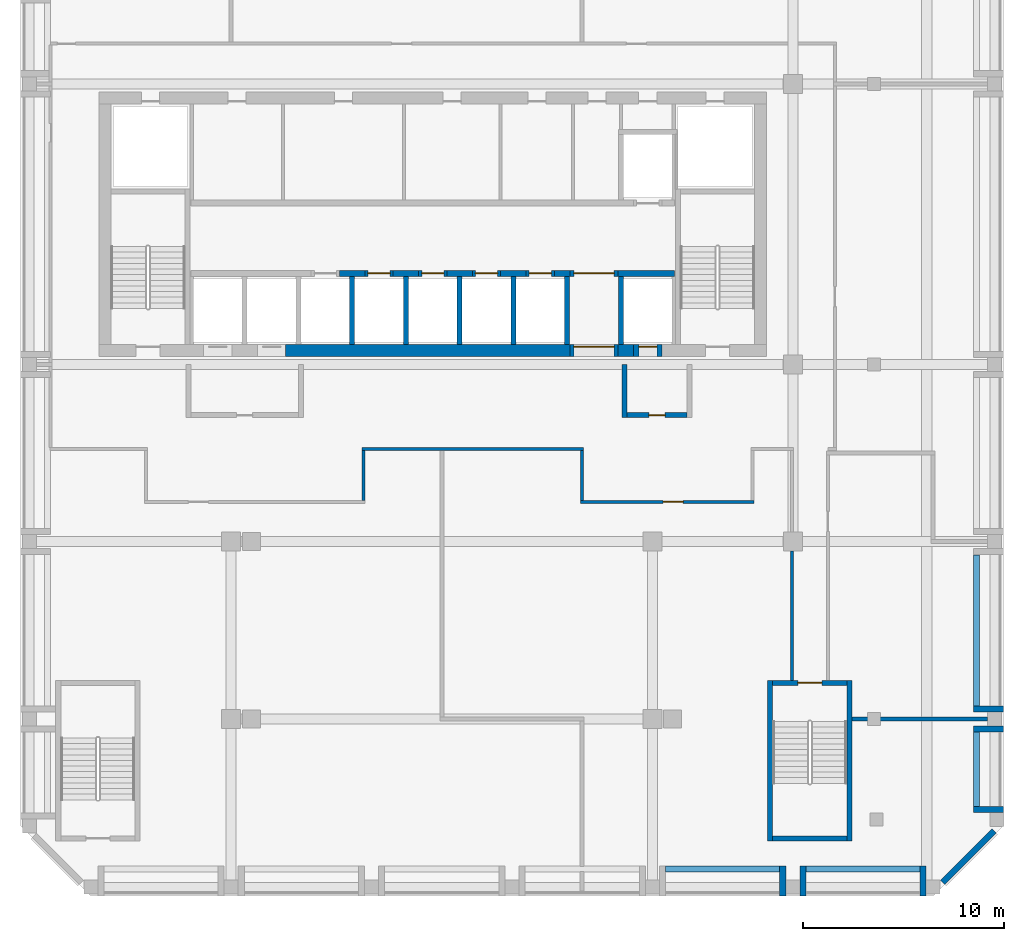
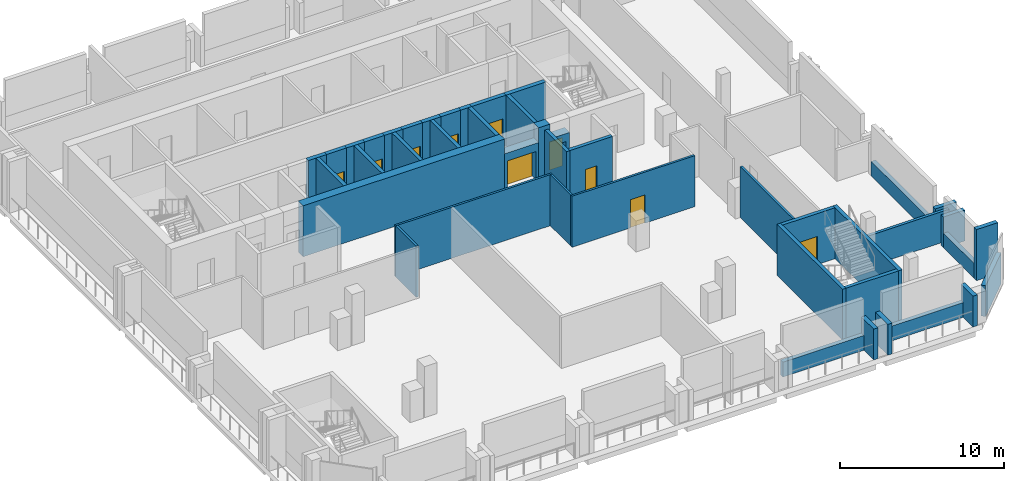
# One storey, part 3 of 7: 44 walls, 10 doors, 10 openings.
"""IFC4 building model written with IfcOpenShell, lengths in metres."""

from ifc_helpers import new_model, si_unit, direction, frame, frame_2d, origin, place, context, subcontext, project, spatial, rectangle, extrude, source, transform, mapped, material, layer, layer_set, type_object, element, fill, save


model = new_model("IFC4")

# Units and contexts
model_context = context("Model", 3, precision=1e-05, world=origin(), true_north=direction((0.0, 1.0)))
body_context = subcontext(model_context, "Body", "Model", "MODEL_VIEW")
ifc_project = project(units=[si_unit("LENGTHUNIT", "METRE"), si_unit("AREAUNIT", "SQUARE_METRE"), si_unit("VOLUMEUNIT", "CUBIC_METRE"), si_unit("PLANEANGLEUNIT", "RADIAN"), si_unit("MASSUNIT", "GRAM", prefix="KILO")], contexts=[model_context])

# Site, building, storey
site_placement = place(None, origin())
site = spatial("IfcSite", under=ifc_project, at=site_placement, CompositionType="ELEMENT")
building_placement = place(site_placement, origin())
building = spatial("IfcBuilding", under=site, at=building_placement, Name="Kilnfold Tower and Market Hall", CompositionType="ELEMENT")
storey_placement = place(building_placement, frame((0.0, 0.0, 262.800048828125)))
storey = spatial("IfcBuildingStorey", under=building, at=storey_placement, Name="L64 Plant Transfer Level", CompositionType="ELEMENT", Elevation=262.800048828125)

# Walls
ifc_material_1 = material(Name="Gypsum board on steel studs", Category="steel")
ifc_layer_1 = layer(ifc_material_1, 0.14990234375)
ifc_layer_set_1 = layer_set([ifc_layer_1], Name="Gypsum board on steel studs")
wall_type_1 = type_object("IfcWallType", Name="WALL CORRIDOR 150", PredefinedType="PARTITIONING", material=ifc_layer_set_1)
wall_1_placement = place(storey_placement, frame((-2.47509765625, 3.800048828125, 0.0), z_axis=(0.0, 0.0, 1.0), x_axis=(1.0, 0.0, 0.0)))
element("IfcWall", 1, at=wall_1_placement, inside=storey, type_object=wall_type_1, Name="Partition LY40.1", PredefinedType="PARTITIONING", context=body_context, shape_type="SweptSolid", body=[
    extrude(rectangle(XDim=11.030029296875, YDim=0.14990234375, at=frame_2d((5.51513671875, 0.0))), origin(), (0.0, 0.0, 1.0), 3.800048828125),
])
wall_2_placement = place(storey_placement, frame((-2.39990234375, 1.22509765625, 0.0), z_axis=(0.0, 0.0, 1.0), x_axis=(0.0, 1.0, 0.0)))
element("IfcWall", 2, at=wall_2_placement, inside=storey, type_object=wall_type_1, Name="Partition LY40.2", PredefinedType="PARTITIONING", context=body_context, shape_type="SweptSolid", body=[
    extrude(rectangle(XDim=2.5, YDim=0.14990234375, at=frame_2d((1.25, 0.0))), origin(), (0.0, 0.0, 1.0), 3.800048828125),
])

# Wall, opening, door
wall_3_placement = place(storey_placement, frame((8.405029296875, 1.14990234375, 0.0), z_axis=(0.0, 0.0, 1.0), x_axis=(1.0, 0.0, 0.0)))
wall_3 = element("IfcWall", 3, at=wall_3_placement, inside=storey, type_object=wall_type_1, Name="Partition LY40.8", PredefinedType="PARTITIONING", context=body_context, shape_type="SweptSolid", body=[
    extrude(rectangle(XDim=8.64990234375, YDim=0.14990234375, at=frame_2d((4.324951171875, 0.0))), origin(), (0.0, 0.0, 1.0), 3.800048828125),
])
opening_1_placement = place(wall_3_placement, frame((4.126953125, 0.0, 0.0)))
opening_1 = element("IfcOpeningElement", 4, at=opening_1_placement, cuts=wall_3, Name="Opening D4", PredefinedType="OPENING", context=body_context, shape_type="SweptSolid", body=[
    extrude(rectangle(XDim=1.0, YDim=2.10009765625, at=frame_2d((0.5, 1.050048828125))), frame((0.0, 0.0849609375, 0.0), z_axis=(0.0, -1.0, 0.0), x_axis=(1.0, 0.0, 0.0)), (0.0, 0.0, 1.0), 0.169921875),
])
ifc_material_2 = material(Name="Timber veneer door leaf in steel frame", Category="steel")
door_type_1 = type_object("IfcDoorType", Name="DOOR SERVICE 1000 X2100", OperationType="NOTDEFINED", PredefinedType="DOOR", material=ifc_material_2)
door_1_placement = place(opening_1_placement, origin())
door_1 = element("IfcDoor", 5, at=door_1_placement, inside=storey, type_object=door_type_1, Name="Door D4", OperationType="SINGLE_SWING_RIGHT", OverallHeight=2.10009765625, OverallWidth=1.0, PredefinedType="DOOR", context=body_context, shape_type="SweptSolid", body=[
    extrude(rectangle(XDim=1.0, YDim=2.10009765625, at=frame_2d((0.5, 1.050048828125))), frame((0.0, 0.02490234375, 0.0), z_axis=(0.0, -1.0, 0.0), x_axis=(1.0, 0.0, 0.0)), (0.0, 0.0, 1.0), 0.050048828125),
])
fill(opening_1, door_1)

# Walls
wall_4_placement = place(storey_placement, frame((8.47998046875, 3.72509765625, 0.0), z_axis=(0.0, 0.0, 1.0), x_axis=(0.0, -1.0, 0.0)))
element("IfcWall", 6, at=wall_4_placement, inside=storey, type_object=wall_type_1, Name="Partition LY40.9", PredefinedType="PARTITIONING", context=body_context, shape_type="SweptSolid", body=[
    extrude(rectangle(XDim=2.5, YDim=0.14990234375, at=frame_2d((1.25, 0.0))), origin(), (0.0, 0.0, 1.0), 3.800048828125),
])
wall_5_placement = place(storey_placement, frame((18.949951171875, -7.75, 0.0), z_axis=(0.0, 0.0, 1.0), x_axis=(0.0, 1.0, 0.0)))
element("IfcWall", 7, at=wall_5_placement, inside=storey, type_object=wall_type_1, Name="Partition LY40.10", PredefinedType="PARTITIONING", context=body_context, shape_type="SweptSolid", body=[
    extrude(rectangle(XDim=6.44189453125, YDim=0.14990234375, at=frame_2d((3.220947265625, 0.0))), origin(), (0.0, 0.0, 1.0), 3.800048828125),
])
ifc_material_3 = material(Name="Gypsum board on steel studs", Category="steel")
ifc_layer_2 = layer(ifc_material_3, 0.199951171875)
ifc_layer_set_2 = layer_set([ifc_layer_2], Name="Gypsum board on steel studs")
wall_type_2 = type_object("IfcWallType", Name="WALL PARTY 200", PredefinedType="PARTITIONING", material=ifc_layer_set_2)
wall_6_placement = place(storey_placement, frame((21.949951171875, -9.6669921875, 0.0), z_axis=(0.0, 0.0, 1.0), x_axis=(1.0, 0.0, 0.0)))
element("IfcWall", 8, at=wall_6_placement, inside=storey, type_object=wall_type_2, Name="Partition LY40.25", PredefinedType="PARTITIONING", context=body_context, shape_type="SweptSolid", body=[
    extrude(rectangle(XDim=6.75, YDim=0.199951171875, at=frame_2d((3.375, 0.0))), origin(), (0.0, 0.0, 1.0), 2.300048828125),
])
ifc_material_4 = material(Name="Concrete C50", Category="concrete")
ifc_layer_3 = layer(ifc_material_4, 0.25)
ifc_layer_set_3 = layer_set([ifc_layer_3], Name="Concrete C50")
wall_type_3 = type_object("IfcWallType", Name="CORE WALL 250 C50", PredefinedType="SHEAR", material=ifc_layer_set_3)
shared_shape_1 = source(origin(), body_context, "Body", "SweptSolid", [
    extrude(rectangle(XDim=3.699951171875, YDim=0.25, at=frame_2d((1.85009765625, 0.0))), origin(), (0.0, 0.0, 1.0), 3.800048828125),
])
wall_7_placement = place(storey_placement, frame((18.0, -15.625, 0.0), z_axis=(0.0, 0.0, 1.0), x_axis=(1.0, 0.0, 0.0)))
element("IfcWall", 9, at=wall_7_placement, inside=storey, type_object=wall_type_3, Name="Stair enclosure ST4", PredefinedType="SHEAR", context=body_context, shape_type="MappedRepresentation", body=[
    mapped(shared_shape_1, transform((0.0, 0.0, 0.0))),
])

# Wall, opening, door
wall_8_placement = place(storey_placement, frame((18.0, -7.875, 0.0), z_axis=(0.0, 0.0, 1.0), x_axis=(1.0, 0.0, 0.0)))
wall_8 = element("IfcWall", 10, at=wall_8_placement, inside=storey, type_object=wall_type_3, Name="Stair enclosure ST4", PredefinedType="SHEAR", context=body_context, shape_type="MappedRepresentation", body=[
    mapped(shared_shape_1, transform((0.0, 0.0, 0.0))),
])
opening_2_placement = place(wall_8_placement, frame((1.25, 0.0, 0.0)))
opening_2 = element("IfcOpeningElement", 11, at=opening_2_placement, cuts=wall_8, Name="Opening SD1", PredefinedType="OPENING", context=body_context, shape_type="SweptSolid", body=[
    extrude(rectangle(XDim=1.199951171875, YDim=2.10009765625, at=frame_2d((0.60009765625, 1.050048828125))), frame((0.0, 0.135009765625, 0.0), z_axis=(0.0, -1.0, 0.0), x_axis=(1.0, 0.0, 0.0)), (0.0, 0.0, 1.0), 0.27001953125),
])
ifc_material_5 = material(Name="Steel door set with fire-resisting leaf", Category="steel")
door_type_2 = type_object("IfcDoorType", Name="STAIR FLOOR DOOR 1200X2100", OperationType="NOTDEFINED", PredefinedType="DOOR", material=ifc_material_5)
door_2_placement = place(opening_2_placement, origin())
door_2 = element("IfcDoor", 12, at=door_2_placement, inside=storey, type_object=door_type_2, Name="Exit stair ST4 door", OperationType="DOUBLE_DOOR_SINGLE_SWING", OverallHeight=2.10009765625, OverallWidth=1.199951171875, PredefinedType="DOOR", context=body_context, shape_type="SweptSolid", body=[
    extrude(rectangle(XDim=1.199951171875, YDim=2.10009765625, at=frame_2d((0.60009765625, 1.050048828125))), frame((0.0, 0.02490234375, 0.0), z_axis=(0.0, -1.0, 0.0), x_axis=(1.0, 0.0, 0.0)), (0.0, 0.0, 1.0), 0.050048828125),
])
fill(opening_2, door_2)

# Walls
shared_shape_2 = source(origin(), body_context, "Body", "SweptSolid", [
    extrude(rectangle(XDim=8.0, YDim=0.25, at=frame_2d((4.0, 0.0))), origin(), (0.0, 0.0, 1.0), 3.800048828125),
])
for number, where, z_axis, x_axis, name in (
    (13, (17.875, -15.75, 0.0), (0.0, 0.0, 1.0), (0.0, 1.0, 0.0), "Stair enclosure ST4"),
    (14, (21.824951171875, -15.75, 0.0), (0.0, 0.0, 1.0), (0.0, 1.0, 0.0), "Stair enclosure ST4"),
):
    element("IfcWall", number, at=place(storey_placement, frame(where, z_axis=z_axis, x_axis=x_axis)), inside=storey, type_object=wall_type_3, Name=name, PredefinedType="SHEAR", context=body_context, shape_type="MappedRepresentation", body=[
        mapped(shared_shape_2, transform((0.0, 0.0, 0.0))),
    ])
ifc_material_6 = material(Name="Concrete C50", Category="concrete")
ifc_layer_4 = layer(ifc_material_6, 0.300048828125)
ifc_layer_set_4 = layer_set([ifc_layer_4], Name="Concrete C50")
wall_type_4 = type_object("IfcWallType", Name="CORE WALL 300 C50", PredefinedType="SHEAR", material=ifc_layer_set_4)
shared_shape_3 = source(origin(), body_context, "Body", "SweptSolid", [
    extrude(rectangle(XDim=1.280029296875, YDim=0.300048828125, at=frame_2d((0.64013671875, 0.0))), origin(), (0.0, 0.0, 1.0), 3.800048828125),
])
for number, where, z_axis, x_axis, name in (
    (15, (-3.610107421875, 12.550048828125, 0.0), (0.0, 0.0, 1.0), (1.0, 0.0, 0.0), "Core spine wall"),
    (16, (-0.929931640625, 12.550048828125, 0.0), (0.0, 0.0, 1.0), (1.0, 0.0, 0.0), "Core spine wall"),
    (17, (1.75, 12.550048828125, 0.0), (0.0, 0.0, 1.0), (1.0, 0.0, 0.0), "Core spine wall"),
    (18, (4.429931640625, 12.550048828125, 0.0), (0.0, 0.0, 1.0), (1.0, 0.0, 0.0), "Core spine wall"),
):
    element("IfcWall", number, at=place(storey_placement, frame(where, z_axis=z_axis, x_axis=x_axis)), inside=storey, type_object=wall_type_4, Name=name, PredefinedType="SHEAR", context=body_context, shape_type="MappedRepresentation", body=[
        mapped(shared_shape_3, transform((0.0, 0.0, 0.0))),
    ])
shared_shape_4 = source(origin(), body_context, "Body", "SweptSolid", [
    extrude(rectangle(XDim=0.77978515625, YDim=0.300048828125, at=frame_2d((0.389892578125, 0.0))), origin(), (0.0, 0.0, 1.0), 3.800048828125),
])
wall_9_placement = place(storey_placement, frame((7.110107421875, 12.550048828125, 0.0), z_axis=(0.0, 0.0, 1.0), x_axis=(1.0, 0.0, 0.0)))
element("IfcWall", 19, at=wall_9_placement, inside=storey, type_object=wall_type_4, Name="Core spine wall", PredefinedType="SHEAR", context=body_context, shape_type="MappedRepresentation", body=[
    mapped(shared_shape_4, transform((0.0, 0.0, 0.0))),
])
shared_shape_5 = source(origin(), body_context, "Body", "SweptSolid", [
    extrude(rectangle(XDim=2.820068359375, YDim=0.300048828125, at=frame_2d((1.41015625, 0.0))), origin(), (0.0, 0.0, 1.0), 3.800048828125),
])
wall_10_placement = place(storey_placement, frame((10.2900390625, 12.550048828125, 0.0), z_axis=(0.0, 0.0, 1.0), x_axis=(1.0, 0.0, 0.0)))
element("IfcWall", 20, at=wall_10_placement, inside=storey, type_object=wall_type_4, Name="Core spine wall", PredefinedType="SHEAR", context=body_context, shape_type="MappedRepresentation", body=[
    mapped(shared_shape_5, transform((0.0, 0.0, 0.0))),
])
ifc_material_7 = material(Name="Concrete C50", Category="concrete")
ifc_layer_5 = layer(ifc_material_7, 0.60009765625)
ifc_layer_set_5 = layer_set([ifc_layer_5], Name="Concrete C50")
wall_type_5 = type_object("IfcWallType", Name="CORE WALL 600 C50", PredefinedType="SHEAR", material=ifc_layer_set_5)
shared_shape_6 = source(origin(), body_context, "Body", "SweptSolid", [
    extrude(rectangle(XDim=14.179931640625, YDim=0.60009765625, at=frame_2d((7.08984375, 0.0))), origin(), (0.0, 0.0, 1.0), 3.800048828125),
])
wall_11_placement = place(storey_placement, frame((-6.2900390625, 8.699951171875, 0.0), z_axis=(0.0, 0.0, 1.0), x_axis=(1.0, 0.0, 0.0)))
element("IfcWall", 21, at=wall_11_placement, inside=storey, type_object=wall_type_5, Name="Core outer wall south", PredefinedType="SHEAR", context=body_context, shape_type="MappedRepresentation", body=[
    mapped(shared_shape_6, transform((0.0, 0.0, 0.0))),
])
shared_shape_7 = source(origin(), body_context, "Body", "SweptSolid", [
    extrude(rectangle(XDim=0.780029296875, YDim=0.60009765625, at=frame_2d((0.39013671875, 0.0))), origin(), (0.0, 0.0, 1.0), 3.800048828125),
])
wall_12_placement = place(storey_placement, frame((10.2900390625, 8.699951171875, 0.0), z_axis=(0.0, 0.0, 1.0), x_axis=(1.0, 0.0, 0.0)))
element("IfcWall", 22, at=wall_12_placement, inside=storey, type_object=wall_type_5, Name="Core outer wall south", PredefinedType="SHEAR", context=body_context, shape_type="MappedRepresentation", body=[
    mapped(shared_shape_7, transform((0.0, 0.0, 0.0))),
])
ifc_material_8 = material(Name="Precast concrete C50/60", Category="concrete")
ifc_layer_6 = layer(ifc_material_8, 0.300048828125)
ifc_layer_set_6 = layer_set([ifc_layer_6], Name="Precast concrete C50/60")
wall_type_6 = type_object("IfcWallType", Name="PRECAST WALL 300", PredefinedType="SOLIDWALL", material=ifc_layer_set_6)
shared_shape_8 = source(origin(), body_context, "Body", "SweptSolid", [
    extrude(rectangle(XDim=1.5, YDim=0.300048828125, at=frame_2d((0.75, 0.0))), origin(), (0.0, 0.0, 1.0), 2.300048828125),
])
for number, where, z_axis, x_axis, name in (
    (23, (18.5, -18.5, 0.0), (0.0, 0.0, 1.0), (0.0, 1.0, 0.0), "Plant wall L64 S"),
    (24, (19.5, -18.5, 0.0), (0.0, 0.0, 1.0), (0.0, 1.0, 0.0), "Plant wall L64 S"),
    (25, (25.5, -18.5, 0.0), (0.0, 0.0, 1.0), (0.0, 1.0, 0.0), "Plant wall L64 S"),
    (26, (29.5, -10.166748046875, 0.0), (0.0, 0.0, 1.0), (-1.0, 0.0, 0.0), "Plant wall L64 E"),
    (27, (29.5, -9.166748046875, 0.0), (0.0, 0.0, 1.0), (-1.0, 0.0, 0.0), "Plant wall L64 E"),
):
    element("IfcWall", number, at=place(storey_placement, frame(where, z_axis=z_axis, x_axis=x_axis)), inside=storey, type_object=wall_type_6, Name=name, PredefinedType="SOLIDWALL", context=body_context, shape_type="MappedRepresentation", body=[
        mapped(shared_shape_8, transform((0.0, 0.0, 0.0))),
    ])
shared_shape_9 = source(origin(), body_context, "Body", "SweptSolid", [
    extrude(rectangle(XDim=1.5, YDim=0.300048828125, at=frame_2d((0.75, 0.0))), origin(), (0.0, 0.0, 1.0), 3.800048828125),
])
wall_13_placement = place(storey_placement, frame((29.5, -14.181884765625, 0.0), z_axis=(0.0, 0.0, 1.0), x_axis=(-1.0, 0.0, 0.0)))
element("IfcWall", 28, at=wall_13_placement, inside=storey, type_object=wall_type_6, Name="Plant wall L64 E", PredefinedType="SOLIDWALL", context=body_context, shape_type="MappedRepresentation", body=[
    mapped(shared_shape_9, transform((0.0, 0.0, 0.0))),
])
shared_shape_10 = source(origin(), body_context, "Body", "SweptSolid", [
    extrude(rectangle(XDim=5.7001953125, YDim=0.300048828125, at=frame_2d((2.85009765625, 0.0))), origin(), (0.0, 0.0, 1.0), 1.099853515625),
])
for number, where, z_axis, x_axis, name in (
    (29, (12.64990234375, -17.14990234375, 0.0), (0.0, 0.0, 1.0), (1.0, 0.0, 0.0), "Knee wall L64 S"),
    (30, (19.64990234375, -17.14990234375, 0.0), (0.0, 0.0, 1.0), (1.0, 0.0, 0.0), "Knee wall L64 S"),
):
    element("IfcWall", number, at=place(storey_placement, frame(where, z_axis=z_axis, x_axis=x_axis)), inside=storey, type_object=wall_type_6, Name=name, PredefinedType="SOLIDWALL", context=body_context, shape_type="MappedRepresentation", body=[
        mapped(shared_shape_10, transform((0.0, 0.0, 0.0))),
    ])
shared_shape_11 = source(origin(), body_context, "Body", "SweptSolid", [
    extrude(rectangle(XDim=3.6416015625, YDim=0.300048828125, at=frame_2d((1.82080078125, 0.0))), origin(), (0.0, 0.0, 1.0), 2.300048828125),
])
wall_14_placement = place(storey_placement, frame((26.468994140625, -17.81884765625, 0.0), z_axis=(0.0, 0.0, 1.0), x_axis=(0.707106781187, 0.707106781187, 0.0)))
element("IfcWall", 31, at=wall_14_placement, inside=storey, type_object=wall_type_6, Name="Plant wall L64 SE", PredefinedType="SOLIDWALL", context=body_context, shape_type="MappedRepresentation", body=[
    mapped(shared_shape_11, transform((0.0, 0.0, 0.0))),
])
shared_shape_12 = source(origin(), body_context, "Body", "SweptSolid", [
    extrude(rectangle(XDim=3.715087890625, YDim=0.300048828125, at=frame_2d((1.857421875, 0.0))), origin(), (0.0, 0.0, 1.0), 1.099853515625),
])
wall_15_placement = place(storey_placement, frame((28.14990234375, -14.03173828125, 0.0), z_axis=(0.0, 0.0, 1.0), x_axis=(0.0, 1.0, 0.0)))
element("IfcWall", 32, at=wall_15_placement, inside=storey, type_object=wall_type_6, Name="Knee wall L64 E", PredefinedType="SOLIDWALL", context=body_context, shape_type="MappedRepresentation", body=[
    mapped(shared_shape_12, transform((0.0, 0.0, 0.0))),
])
shared_shape_13 = source(origin(), body_context, "Body", "SweptSolid", [
    extrude(rectangle(XDim=7.533203125, YDim=0.300048828125, at=frame_2d((3.7666015625, 0.0))), origin(), (0.0, 0.0, 1.0), 1.099853515625),
])
wall_16_placement = place(storey_placement, frame((28.14990234375, -9.0166015625, 0.0), z_axis=(0.0, 0.0, 1.0), x_axis=(0.0, 1.0, 0.0)))
element("IfcWall", 33, at=wall_16_placement, inside=storey, type_object=wall_type_6, Name="Knee wall L64 E", PredefinedType="SOLIDWALL", context=body_context, shape_type="MappedRepresentation", body=[
    mapped(shared_shape_13, transform((0.0, 0.0, 0.0))),
])

# Wall, opening, door
ifc_material_9 = material(Name="Gypsum shaft wall system")
ifc_layer_7 = layer(ifc_material_9, 0.300048828125)
ifc_layer_set_7 = layer_set([ifc_layer_7], Name="Gypsum shaft wall system")
wall_type_7 = type_object("IfcWallType", Name="SHAFT WALL 300", PredefinedType="PARTITIONING", material=ifc_layer_set_7)
shared_shape_14 = source(origin(), body_context, "Body", "SweptSolid", [
    extrude(rectangle(XDim=1.39990234375, YDim=0.300048828125, at=frame_2d((0.699951171875, 0.0))), origin(), (0.0, 0.0, 1.0), 3.800048828125),
])
wall_17_placement = place(storey_placement, frame((0.35009765625, 12.550048828125, 0.0), z_axis=(0.0, 0.0, 1.0), x_axis=(1.0, 0.0, 0.0)))
wall_17 = element("IfcWall", 34, at=wall_17_placement, inside=storey, type_object=wall_type_7, Name="Lift shaft front wall", PredefinedType="PARTITIONING", context=body_context, shape_type="MappedRepresentation", body=[
    mapped(shared_shape_14, transform((0.0, 0.0, 0.0))),
])
opening_3_placement = place(wall_17_placement, frame((0.14990234375, 0.0, 0.0)))
opening_3 = element("IfcOpeningElement", 35, at=opening_3_placement, cuts=wall_17, Name="Opening LD2", PredefinedType="OPENING", context=body_context, shape_type="SweptSolid", body=[
    extrude(rectangle(XDim=1.10009765625, YDim=2.10009765625, at=frame_2d((0.550048828125, 1.050048828125))), frame((0.0, 0.16015625, 0.0), z_axis=(0.0, -1.0, 0.0), x_axis=(1.0, 0.0, 0.0)), (0.0, 0.0, 1.0), 0.320068359375),
])
ifc_material_10 = material(Name="Steel door set with fire-resisting leaf", Category="steel")
door_type_3 = type_object("IfcDoorType", Name="LANDING DOOR 1100X2100", OperationType="NOTDEFINED", PredefinedType="DOOR", material=ifc_material_10)
door_3_placement = place(opening_3_placement, origin())
door_3 = element("IfcDoor", 36, at=door_3_placement, inside=storey, type_object=door_type_3, Name="Landing door HR3", OperationType="DOUBLE_DOOR_SLIDING", OverallHeight=2.10009765625, OverallWidth=1.10009765625, PredefinedType="DOOR", context=body_context, shape_type="SweptSolid", body=[
    extrude(rectangle(XDim=1.10009765625, YDim=2.10009765625, at=frame_2d((0.550048828125, 1.050048828125))), frame((0.0, 0.02490234375, 0.0), z_axis=(0.0, -1.0, 0.0), x_axis=(1.0, 0.0, 0.0)), (0.0, 0.0, 1.0), 0.050048828125),
])
fill(opening_3, door_3)

wall_18_placement = place(storey_placement, frame((3.030029296875, 12.550048828125, 0.0), z_axis=(0.0, 0.0, 1.0), x_axis=(1.0, 0.0, 0.0)))
wall_18 = element("IfcWall", 37, at=wall_18_placement, inside=storey, type_object=wall_type_7, Name="Lift shaft front wall", PredefinedType="PARTITIONING", context=body_context, shape_type="MappedRepresentation", body=[
    mapped(shared_shape_14, transform((0.0, 0.0, 0.0))),
])
opening_4_placement = place(wall_18_placement, frame((0.14990234375, 0.0, 0.0)))
opening_4 = element("IfcOpeningElement", 38, at=opening_4_placement, cuts=wall_18, Name="Opening LD2", PredefinedType="OPENING", context=body_context, shape_type="SweptSolid", body=[
    extrude(rectangle(XDim=1.10009765625, YDim=2.10009765625, at=frame_2d((0.550048828125, 1.050048828125))), frame((0.0, 0.16015625, 0.0), z_axis=(0.0, -1.0, 0.0), x_axis=(1.0, 0.0, 0.0)), (0.0, 0.0, 1.0), 0.320068359375),
])
door_4_placement = place(opening_4_placement, origin())
door_4 = element("IfcDoor", 39, at=door_4_placement, inside=storey, type_object=door_type_3, Name="Landing door HR4", OperationType="DOUBLE_DOOR_SLIDING", OverallHeight=2.10009765625, OverallWidth=1.10009765625, PredefinedType="DOOR", context=body_context, shape_type="SweptSolid", body=[
    extrude(rectangle(XDim=1.10009765625, YDim=2.10009765625, at=frame_2d((0.550048828125, 1.050048828125))), frame((0.0, 0.02490234375, 0.0), z_axis=(0.0, -1.0, 0.0), x_axis=(1.0, 0.0, 0.0)), (0.0, 0.0, 1.0), 0.050048828125),
])
fill(opening_4, door_4)

shared_shape_15 = source(origin(), body_context, "Body", "SweptSolid", [
    extrude(rectangle(XDim=1.400146484375, YDim=0.300048828125, at=frame_2d((0.7001953125, 0.0))), origin(), (0.0, 0.0, 1.0), 3.800048828125),
])
wall_19_placement = place(storey_placement, frame((-2.330078125, 12.550048828125, 0.0), z_axis=(0.0, 0.0, 1.0), x_axis=(1.0, 0.0, 0.0)))
wall_19 = element("IfcWall", 40, at=wall_19_placement, inside=storey, type_object=wall_type_7, Name="Lift shaft front wall", PredefinedType="PARTITIONING", context=body_context, shape_type="MappedRepresentation", body=[
    mapped(shared_shape_15, transform((0.0, 0.0, 0.0))),
])
opening_5_placement = place(wall_19_placement, frame((0.14990234375, 0.0, 0.0)))
opening_5 = element("IfcOpeningElement", 41, at=opening_5_placement, cuts=wall_19, Name="Opening LD2", PredefinedType="OPENING", context=body_context, shape_type="SweptSolid", body=[
    extrude(rectangle(XDim=1.10009765625, YDim=2.10009765625, at=frame_2d((0.550048828125, 1.050048828125))), frame((0.0, 0.16015625, 0.0), z_axis=(0.0, -1.0, 0.0), x_axis=(1.0, 0.0, 0.0)), (0.0, 0.0, 1.0), 0.320068359375),
])
door_5_placement = place(opening_5_placement, origin())
door_5 = element("IfcDoor", 42, at=door_5_placement, inside=storey, type_object=door_type_3, Name="Landing door HR2", OperationType="DOUBLE_DOOR_SLIDING", OverallHeight=2.10009765625, OverallWidth=1.10009765625, PredefinedType="DOOR", context=body_context, shape_type="SweptSolid", body=[
    extrude(rectangle(XDim=1.10009765625, YDim=2.10009765625, at=frame_2d((0.550048828125, 1.050048828125))), frame((0.0, 0.02490234375, 0.0), z_axis=(0.0, -1.0, 0.0), x_axis=(1.0, 0.0, 0.0)), (0.0, 0.0, 1.0), 0.050048828125),
])
fill(opening_5, door_5)

wall_20_placement = place(storey_placement, frame((5.7099609375, 12.550048828125, 0.0), z_axis=(0.0, 0.0, 1.0), x_axis=(1.0, 0.0, 0.0)))
wall_20 = element("IfcWall", 43, at=wall_20_placement, inside=storey, type_object=wall_type_7, Name="Lift shaft front wall", PredefinedType="PARTITIONING", context=body_context, shape_type="MappedRepresentation", body=[
    mapped(shared_shape_15, transform((0.0, 0.0, 0.0))),
])
opening_6_placement = place(wall_20_placement, frame((0.14990234375, 0.0, 0.0)))
opening_6 = element("IfcOpeningElement", 44, at=opening_6_placement, cuts=wall_20, Name="Opening LD2", PredefinedType="OPENING", context=body_context, shape_type="SweptSolid", body=[
    extrude(rectangle(XDim=1.10009765625, YDim=2.10009765625, at=frame_2d((0.550048828125, 1.050048828125))), frame((0.0, 0.16015625, 0.0), z_axis=(0.0, -1.0, 0.0), x_axis=(1.0, 0.0, 0.0)), (0.0, 0.0, 1.0), 0.320068359375),
])
door_6_placement = place(opening_6_placement, origin())
door_6 = element("IfcDoor", 45, at=door_6_placement, inside=storey, type_object=door_type_3, Name="Landing door HR5", OperationType="DOUBLE_DOOR_SLIDING", OverallHeight=2.10009765625, OverallWidth=1.10009765625, PredefinedType="DOOR", context=body_context, shape_type="SweptSolid", body=[
    extrude(rectangle(XDim=1.10009765625, YDim=2.10009765625, at=frame_2d((0.550048828125, 1.050048828125))), frame((0.0, 0.02490234375, 0.0), z_axis=(0.0, -1.0, 0.0), x_axis=(1.0, 0.0, 0.0)), (0.0, 0.0, 1.0), 0.050048828125),
])
fill(opening_6, door_6)

shared_shape_16 = source(origin(), body_context, "Body", "SweptSolid", [
    extrude(rectangle(XDim=2.400146484375, YDim=0.300048828125, at=frame_2d((1.2001953125, 0.0))), origin(), (0.0, 0.0, 1.0), 3.800048828125),
])
wall_21_placement = place(storey_placement, frame((7.889892578125, 12.550048828125, 0.0), z_axis=(0.0, 0.0, 1.0), x_axis=(1.0, 0.0, 0.0)))
wall_21 = element("IfcWall", 46, at=wall_21_placement, inside=storey, type_object=wall_type_7, Name="Lift shaft front wall", PredefinedType="PARTITIONING", context=body_context, shape_type="MappedRepresentation", body=[
    mapped(shared_shape_16, transform((0.0, 0.0, 0.0))),
])
opening_7_placement = place(wall_21_placement, frame((0.199951171875, 0.0, 0.0)))
opening_7 = element("IfcOpeningElement", 47, at=opening_7_placement, cuts=wall_21, Name="Opening VD2", PredefinedType="OPENING", context=body_context, shape_type="SweptSolid", body=[
    extrude(rectangle(XDim=2.0, YDim=2.10009765625, at=frame_2d((1.0, 1.050048828125))), frame((0.0, 0.16015625, 0.0), z_axis=(0.0, -1.0, 0.0), x_axis=(1.0, 0.0, 0.0)), (0.0, 0.0, 1.0), 0.320068359375),
])
ifc_material_11 = material(Name="Steel door set with fire-resisting leaf", Category="steel")
door_type_4 = type_object("IfcDoorType", Name="LIFT LOBBY ENTRANCE DOOR 2000X2100", OperationType="NOTDEFINED", PredefinedType="DOOR", material=ifc_material_11)
door_7_placement = place(opening_7_placement, origin())
door_7 = element("IfcDoor", 48, at=door_7_placement, inside=storey, type_object=door_type_4, Name="Lift lobby entrance door", OperationType="DOUBLE_DOOR_SINGLE_SWING", OverallHeight=2.10009765625, OverallWidth=2.0, PredefinedType="DOOR", context=body_context, shape_type="SweptSolid", body=[
    extrude(rectangle(XDim=2.0, YDim=2.10009765625, at=frame_2d((1.0, 1.050048828125))), frame((0.0, 0.02490234375, 0.0), z_axis=(0.0, -1.0, 0.0), x_axis=(1.0, 0.0, 0.0)), (0.0, 0.0, 1.0), 0.050048828125),
])
fill(opening_7, door_7)

# Wall
ifc_material_12 = material(Name="Gypsum shaft wall system")
ifc_layer_8 = layer(ifc_material_12, 0.25)
ifc_layer_set_8 = layer_set([ifc_layer_8], Name="Gypsum shaft wall system")
wall_type_8 = type_object("IfcWallType", Name="LOBBY WALL 250", PredefinedType="PARTITIONING", material=ifc_layer_set_8)
shared_shape_17 = source(origin(), body_context, "Body", "SweptSolid", [
    extrude(rectangle(XDim=2.64990234375, YDim=0.25, at=frame_2d((1.324951171875, 0.0))), origin(), (0.0, 0.0, 1.0), 3.800048828125),
])
wall_22_placement = place(storey_placement, frame((10.60498046875, 5.35009765625, 0.0), z_axis=(0.0, 0.0, 1.0), x_axis=(0.0, 1.0, 0.0)))
element("IfcWall", 49, at=wall_22_placement, inside=storey, type_object=wall_type_8, Name="Firefighting lobby wall", PredefinedType="PARTITIONING", context=body_context, shape_type="MappedRepresentation", body=[
    mapped(shared_shape_17, transform((0.0, 0.0, 0.0))),
])

# Wall, opening, door
shared_shape_18 = source(origin(), body_context, "Body", "SweptSolid", [
    extrude(rectangle(XDim=3.0, YDim=0.25, at=frame_2d((1.5, 0.0))), origin(), (0.0, 0.0, 1.0), 3.800048828125),
])
wall_23_placement = place(storey_placement, frame((10.72998046875, 5.47509765625, 0.0), z_axis=(0.0, 0.0, 1.0), x_axis=(1.0, 0.0, 0.0)))
wall_23 = element("IfcWall", 50, at=wall_23_placement, inside=storey, type_object=wall_type_8, Name="Firefighting lobby wall", PredefinedType="PARTITIONING", context=body_context, shape_type="MappedRepresentation", body=[
    mapped(shared_shape_18, transform((0.0, 0.0, 0.0))),
])
opening_8_placement = place(wall_23_placement, frame((1.10009765625, 0.0, 0.0)))
opening_8 = element("IfcOpeningElement", 51, at=opening_8_placement, cuts=wall_23, Name="Opening VD1", PredefinedType="OPENING", context=body_context, shape_type="SweptSolid", body=[
    extrude(rectangle(XDim=0.800048828125, YDim=2.0, at=frame_2d((0.39990234375, 1.0))), frame((0.0, 0.135009765625, 0.0), z_axis=(0.0, -1.0, 0.0), x_axis=(1.0, 0.0, 0.0)), (0.0, 0.0, 1.0), 0.27001953125),
])
ifc_material_13 = material(Name="Steel door set with fire-resisting leaf", Category="steel")
door_type_5 = type_object("IfcDoorType", Name="FIREFIGHTING LOBBY DOOR 800X2000", OperationType="NOTDEFINED", PredefinedType="DOOR", material=ifc_material_13)
door_8_placement = place(opening_8_placement, origin())
door_8 = element("IfcDoor", 52, at=door_8_placement, inside=storey, type_object=door_type_5, Name="Firefighting lobby door", OperationType="SINGLE_SWING_RIGHT", OverallHeight=2.0, OverallWidth=0.800048828125, PredefinedType="DOOR", context=body_context, shape_type="SweptSolid", body=[
    extrude(rectangle(XDim=0.800048828125, YDim=2.0, at=frame_2d((0.39990234375, 1.0))), frame((0.0, 0.02490234375, 0.0), z_axis=(0.0, -1.0, 0.0), x_axis=(1.0, 0.0, 0.0)), (0.0, 0.0, 1.0), 0.050048828125),
])
fill(opening_8, door_8)

# Walls
ifc_material_14 = material(Name="Gypsum shaft wall system")
ifc_layer_9 = layer(ifc_material_14, 0.25)
ifc_layer_set_9 = layer_set([ifc_layer_9], Name="Gypsum shaft wall system")
wall_type_9 = type_object("IfcWallType", Name="SHAFT WALL 250", PredefinedType="PARTITIONING", material=ifc_layer_set_9)
shared_shape_19 = source(origin(), body_context, "Body", "SweptSolid", [
    extrude(rectangle(XDim=3.39990234375, YDim=0.25, at=frame_2d((1.699951171875, 0.0))), origin(), (0.0, 0.0, 1.0), 3.800048828125),
])
for number, where, z_axis, x_axis, name in (
    (53, (10.429931640625, 9.0, 0.0), (0.0, 0.0, 1.0), (0.0, 1.0, 0.0), "Lift shaft wall"),
    (54, (2.389892578125, 9.0, 0.0), (0.0, 0.0, 1.0), (0.0, 1.0, 0.0), "Lift shaft wall"),
    (55, (5.070068359375, 9.0, 0.0), (0.0, 0.0, 1.0), (0.0, 1.0, 0.0), "Lift shaft wall"),
    (56, (7.75, 9.0, 0.0), (0.0, 0.0, 1.0), (0.0, 1.0, 0.0), "Lift shaft wall"),
    (57, (-0.2900390625, 9.0, 0.0), (0.0, 0.0, 1.0), (0.0, 1.0, 0.0), "Lift shaft wall"),
    (58, (-2.969970703125, 9.0, 0.0), (0.0, 0.0, 1.0), (0.0, 1.0, 0.0), "Lift shaft wall"),
):
    element("IfcWall", number, at=place(storey_placement, frame(where, z_axis=z_axis, x_axis=x_axis)), inside=storey, type_object=wall_type_9, Name=name, PredefinedType="PARTITIONING", context=body_context, shape_type="MappedRepresentation", body=[
        mapped(shared_shape_19, transform((0.0, 0.0, 0.0))),
    ])

# Wall, opening, door
ifc_material_15 = material(Name="Gypsum shaft wall system")
ifc_layer_10 = layer(ifc_material_15, 0.60009765625)
ifc_layer_set_10 = layer_set([ifc_layer_10], Name="Gypsum shaft wall system")
wall_type_10 = type_object("IfcWallType", Name="LOBBY WALL 600", PredefinedType="PARTITIONING", material=ifc_layer_set_10)
shared_shape_20 = source(origin(), body_context, "Body", "SweptSolid", [
    extrude(rectangle(XDim=1.39990234375, YDim=0.60009765625, at=frame_2d((0.699951171875, 0.0))), origin(), (0.0, 0.0, 1.0), 2.699951171875),
])
wall_24_placement = place(storey_placement, frame((11.070068359375, 8.699951171875, 0.0), z_axis=(0.0, 0.0, 1.0), x_axis=(1.0, 0.0, 0.0)))
wall_24 = element("IfcWall", 59, at=wall_24_placement, inside=storey, type_object=wall_type_10, Name="Core wall infill", PredefinedType="PARTITIONING", context=body_context, shape_type="MappedRepresentation", body=[
    mapped(shared_shape_20, transform((0.0, 0.0, 0.0))),
])
opening_9_placement = place(wall_24_placement, frame((0.25, 0.0, 0.0)))
opening_9 = element("IfcOpeningElement", 60, at=opening_9_placement, cuts=wall_24, Name="Opening LD1", PredefinedType="OPENING", context=body_context, shape_type="SweptSolid", body=[
    extrude(rectangle(XDim=0.89990234375, YDim=2.10009765625, at=frame_2d((0.449951171875, 1.050048828125))), frame((0.0, 0.31005859375, 0.0), z_axis=(0.0, -1.0, 0.0), x_axis=(1.0, 0.0, 0.0)), (0.0, 0.0, 1.0), 0.6201171875),
])
ifc_material_16 = material(Name="Steel door set with fire-resisting leaf", Category="steel")
door_type_6 = type_object("IfcDoorType", Name="FIREFIGHTING LANDING DOOR 900X2100", OperationType="NOTDEFINED", PredefinedType="DOOR", material=ifc_material_16)
door_9_placement = place(opening_9_placement, origin())
door_9 = element("IfcDoor", 61, at=door_9_placement, inside=storey, type_object=door_type_6, Name="Landing door FF3", OperationType="SLIDING_TO_LEFT", OverallHeight=2.10009765625, OverallWidth=0.89990234375, PredefinedType="DOOR", context=body_context, shape_type="SweptSolid", body=[
    extrude(rectangle(XDim=0.89990234375, YDim=2.10009765625, at=frame_2d((0.449951171875, 1.050048828125))), frame((0.0, 0.205078125, 0.0), z_axis=(0.0, -1.0, 0.0), x_axis=(1.0, 0.0, 0.0)), (0.0, 0.0, 1.0), 0.050048828125),
])
fill(opening_9, door_9)

shared_shape_21 = source(origin(), body_context, "Body", "SweptSolid", [
    extrude(rectangle(XDim=2.400146484375, YDim=0.60009765625, at=frame_2d((1.2001953125, 0.0))), origin(), (0.0, 0.0, 1.0), 2.699951171875),
])
wall_25_placement = place(storey_placement, frame((7.889892578125, 8.699951171875, 0.0), z_axis=(0.0, 0.0, 1.0), x_axis=(1.0, 0.0, 0.0)))
wall_25 = element("IfcWall", 62, at=wall_25_placement, inside=storey, type_object=wall_type_10, Name="Core wall infill", PredefinedType="PARTITIONING", context=body_context, shape_type="MappedRepresentation", body=[
    mapped(shared_shape_21, transform((0.0, 0.0, 0.0))),
])
opening_10_placement = place(wall_25_placement, frame((0.199951171875, 0.0, 0.0)))
opening_10 = element("IfcOpeningElement", 63, at=opening_10_placement, cuts=wall_25, Name="Opening VD2", PredefinedType="OPENING", context=body_context, shape_type="SweptSolid", body=[
    extrude(rectangle(XDim=2.0, YDim=2.10009765625, at=frame_2d((1.0, 1.050048828125))), frame((0.0, 0.31005859375, 0.0), z_axis=(0.0, -1.0, 0.0), x_axis=(1.0, 0.0, 0.0)), (0.0, 0.0, 1.0), 0.6201171875),
])
door_10_placement = place(opening_10_placement, origin())
door_10 = element("IfcDoor", 64, at=door_10_placement, inside=storey, type_object=door_type_4, Name="Lift lobby entrance door", OperationType="DOUBLE_DOOR_SINGLE_SWING", OverallHeight=2.10009765625, OverallWidth=2.0, PredefinedType="DOOR", context=body_context, shape_type="SweptSolid", body=[
    extrude(rectangle(XDim=2.0, YDim=2.10009765625, at=frame_2d((1.0, 1.050048828125))), frame((0.0, 0.205078125, 0.0), z_axis=(0.0, -1.0, 0.0), x_axis=(1.0, 0.0, 0.0)), (0.0, 0.0, 1.0), 0.050048828125),
])
fill(opening_10, door_10)

save(model, "model.ifc")
